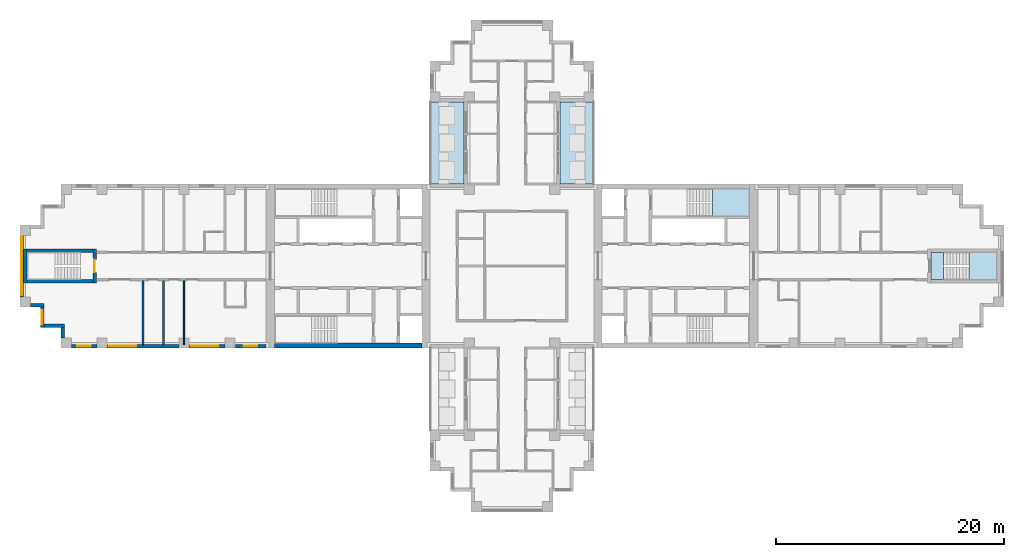
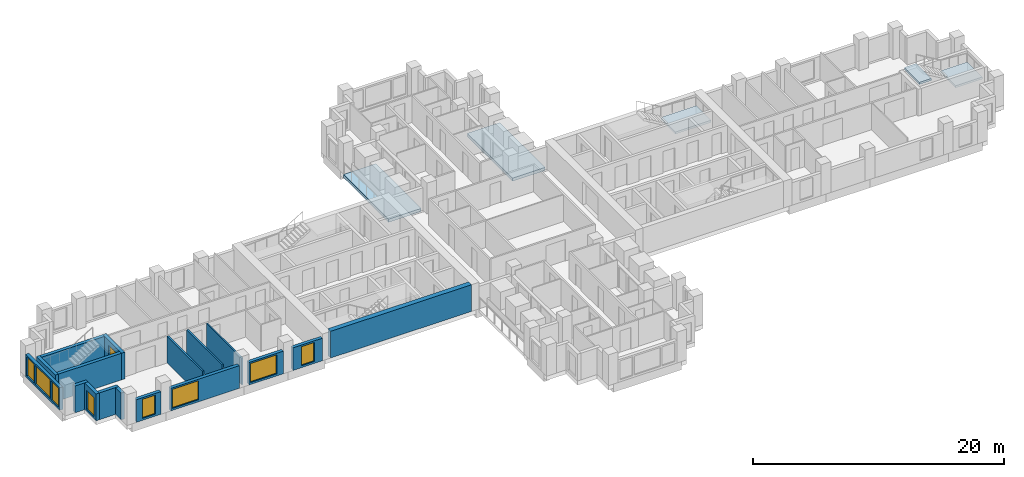
# One storey, part 2 of 12: 17 walls, 8 windows, 5 slabs, 1 door, 9 openings, 2 elements without a shape of their own.
"""IFC4 building model written with IfcOpenShell, lengths in metres."""

import ifcopenshell
import ifcopenshell.guid

model = None  # the IFC model being written
_history = None  # IfcOwnerHistory: only IFC2X3 demands one
_inside = {}  # id of a spatial element -> (the spatial element, [elements in it])
_under = {}  # id of a project, library or spatial element -> (it, [spatial elements below it])
_declared = {}  # id of a project -> (the project, [libraries it declares])
_typed = {}  # id of a type object -> (the type object, [elements of that type])
_made_of = {}  # id of a material, layer set ... -> (it, [elements and type objects made of it])


def new_model(schema):
    """Start an empty IFC model of exactly this schema.

    Asked for "IFC4X3", IfcOpenShell would pick the latest addendum, in which some entities
    have other attributes; the version numbers below select the first issue.
    IFC2X3 requires an IfcOwnerHistory on every rooted entity: one is made here for all.
    """
    global model, _history
    if schema == "IFC4X3":
        model = ifcopenshell.file(schema_version=(4, 3, 0, 0))
    else:
        model = ifcopenshell.file(schema=schema)
    _inside.clear()
    _under.clear()
    _declared.clear()
    _typed.clear()
    _made_of.clear()
    _history = None
    if model.schema == "IFC2X3":
        org = make("IfcOrganization", Name="unknown")
        user = make(
            "IfcPersonAndOrganization",
            ThePerson=make("IfcPerson", FamilyName="unknown"),
            TheOrganization=org,
        )
        app = make(
            "IfcApplication",
            ApplicationDeveloper=org,
            Version="unknown",
            ApplicationFullName="unknown",
            ApplicationIdentifier="unknown",
        )
        _history = make(
            "IfcOwnerHistory",
            OwningUser=user,
            OwningApplication=app,
            ChangeAction="ADDED",
            CreationDate=0,
        )
    return model


def make(cls, **values):
    """One entity of the class cls with the attributes given. An attribute that is None is left unset."""
    return model.create_entity(
        cls, **{name: value for name, value in values.items() if value is not None}
    )


def rooted(cls, **values):
    """An entity with a GlobalId (a new one), such as an element, a storey or a relation."""
    return make(cls, GlobalId=ifcopenshell.guid.new(), OwnerHistory=_history, **values)


def si_unit(unit_type, name, prefix=None):
    """IfcSIUnit, for example si_unit("LENGTHUNIT", "METRE", prefix="MILLI")."""
    return make("IfcSIUnit", UnitType=unit_type, Prefix=prefix, Name=name)


def assignment(units):
    """IfcUnitAssignment: the units of a project."""
    return None if units is None else make("IfcUnitAssignment", Units=units)


def point(xyz):
    """IfcCartesianPoint."""
    return None if xyz is None else make("IfcCartesianPoint", Coordinates=xyz)


def direction(xyz):
    """IfcDirection."""
    return None if xyz is None else make("IfcDirection", DirectionRatios=xyz)


def frame(location, z_axis=None, x_axis=None):
    """IfcAxis2Placement3D, a coordinate frame: its origin and axes. An axis left out is left unset."""
    return make(
        "IfcAxis2Placement3D",
        Location=point(location),
        Axis=direction(z_axis),
        RefDirection=direction(x_axis),
    )


def frame_2d(location, x_axis=None):
    """IfcAxis2Placement2D, a coordinate frame in the plane: its origin and x axis."""
    return make(
        "IfcAxis2Placement2D", Location=point(location), RefDirection=direction(x_axis)
    )


def origin():
    """The frame at (0, 0, 0) with its axes left unset."""
    return frame((0.0, 0.0, 0.0))


def place(relative_to, where):
    """IfcLocalPlacement: puts the frame where relative to a parent placement (None: the world)."""
    return make(
        "IfcLocalPlacement", PlacementRelTo=relative_to, RelativePlacement=where
    )


def context(
    kind, dimensions, precision=None, world=None, true_north=None, identifier=None
):
    """IfcGeometricRepresentationContext, for example the 3D "Model" context."""
    return make(
        "IfcGeometricRepresentationContext",
        ContextIdentifier=identifier,
        ContextType=kind,
        CoordinateSpaceDimension=dimensions,
        Precision=precision,
        WorldCoordinateSystem=world,
        TrueNorth=true_north,
    )


def subcontext(parent, identifier, kind, view, scale=None):
    """IfcGeometricRepresentationSubContext, for example "Body" below "Model"."""
    return make(
        "IfcGeometricRepresentationSubContext",
        ContextIdentifier=identifier,
        ContextType=kind,
        ParentContext=parent,
        TargetScale=scale,
        TargetView=view,
    )


def project(units=None, contexts=None):
    """IfcProject with its units and contexts."""
    return rooted(
        "IfcProject",
        Name="project",
        RepresentationContexts=contexts,
        UnitsInContext=assignment(units),
    )


def spatial(cls, under=None, at=None, **own):
    """A site, building, storey or space (cls), placed at a placement, below another one or the project."""
    s = rooted(cls, ObjectPlacement=at, **own)
    if under is not None:
        _under.setdefault(under.id(), (under, []))[1].append(s)
    return s


def polyline(points):
    """IfcPolyline through the points."""
    return make("IfcPolyline", Points=[point(p) for p in points])


def profile(cls, at=None, kind="AREA", **sizes):
    """A parametric profile (cls). Its sizes go by their IFC names, for example OverallWidth=200.0."""
    return make(cls, ProfileType=kind, Position=at, **sizes)


def rectangle(**sizes):
    """IfcRectangleProfileDef."""
    return profile("IfcRectangleProfileDef", **sizes)


def outline(outer, holes=None, kind="AREA"):
    """IfcArbitraryClosedProfileDef: a profile drawn as a closed curve; with holes, ...WithVoids."""
    if holes is None:
        return make("IfcArbitraryClosedProfileDef", ProfileType=kind, OuterCurve=outer)
    return make(
        "IfcArbitraryProfileDefWithVoids",
        ProfileType=kind,
        OuterCurve=outer,
        InnerCurves=holes,
    )


def extrude(swept, where, along, depth):
    """IfcExtrudedAreaSolid: the profile swept, set in the frame where, extruded along a direction by depth."""
    return make(
        "IfcExtrudedAreaSolid",
        SweptArea=swept,
        Position=where,
        ExtrudedDirection=direction(along),
        Depth=depth,
    )


def shape(context_of_items, identifier, shape_type, items):
    """IfcShapeRepresentation: the items that make up one representation, for example the "Body"."""
    return make(
        "IfcShapeRepresentation",
        ContextOfItems=context_of_items,
        RepresentationIdentifier=identifier,
        RepresentationType=shape_type,
        Items=items,
    )


def material(Name=None, Category=None):
    """IfcMaterial."""
    return make("IfcMaterial", Name=Name, Category=Category)


def layer(
    of_material, thickness, ventilated=None, Name=None, Category=None, Priority=None
):
    """IfcMaterialLayer: one layer of a wall or slab, of a material (None: an air gap)."""
    return make(
        "IfcMaterialLayer",
        Material=of_material,
        LayerThickness=thickness,
        IsVentilated=ventilated,
        Name=Name,
        Category=Category,
        Priority=Priority,
    )


def layer_set(layers, Name=None):
    """IfcMaterialLayerSet."""
    return make("IfcMaterialLayerSet", MaterialLayers=layers, LayerSetName=Name)


def made_of(thing, what):
    """Note that an element or type object is made of a material, layer set ...; save() writes the relation."""
    if what is not None:
        _made_of.setdefault(what.id(), (what, []))[1].append(thing)
    return thing


def type_object(cls, material=None, **own):
    """A type object (cls), such as IfcWallType, which elements share."""
    return made_of(rooted(cls, **own), material)


def element(
    cls,
    number,
    at=None,
    inside=None,
    cuts=None,
    type_object=None,
    material=None,
    context=None,
    identifier="Body",
    shape_type=None,
    held_by="IfcProductDefinitionShape",
    body=None,
    shapes=None,
    **own,
):
    """One element of the class cls, such as IfcWall. Its Tag is "e" and its number.

    at: its placement. inside: the storey or other place that contains it. cuts: it is an
    opening in that element (IfcRelVoidsElement). A single representation is given by context,
    identifier, shape_type and body (its items); several are given by shapes. held_by: the class
    of the entity that holds the representations. save() writes the other relations.
    """
    e = rooted(cls, Tag="e%d" % number, ObjectPlacement=at, **own)
    if body is not None:
        shapes = [shape(context, identifier, shape_type, body)]
    if shapes is not None:
        e.Representation = make(held_by, Representations=shapes)
    if inside is not None:
        _inside.setdefault(inside.id(), (inside, []))[1].append(e)
    if cuts is not None:
        rooted(
            "IfcRelVoidsElement", RelatingBuildingElement=cuts, RelatedOpeningElement=e
        )
    if type_object is not None:
        _typed.setdefault(type_object.id(), (type_object, []))[1].append(e)
    return made_of(e, material)


def fill(opening, filler):
    """IfcRelFillsElement: the door or window that sits in an opening."""
    return rooted(
        "IfcRelFillsElement",
        RelatingOpeningElement=opening,
        RelatedBuildingElement=filler,
    )


def aggregate(whole, parts):
    """IfcRelAggregates: a whole, such as a stair, and the parts it consists of."""
    return rooted("IfcRelAggregates", RelatingObject=whole, RelatedObjects=parts)


def save(model, path):
    """Write the relations noted so far, then the file.

    IfcRelAggregates (storeys below a building ...), IfcRelContainedInSpatialStructure (elements
    in a storey), IfcRelDefinesByType, IfcRelAssociatesMaterial and IfcRelDeclares: one each for
    every whole, place, type object, material and project.
    """
    for whole, parts in _under.values():
        aggregate(whole, parts)
    for where, things in _inside.values():
        rooted(
            "IfcRelContainedInSpatialStructure",
            RelatedElements=things,
            RelatingStructure=where,
        )
    for kind, things in _typed.values():
        rooted("IfcRelDefinesByType", RelatedObjects=things, RelatingType=kind)
    for what, things in _made_of.values():
        rooted("IfcRelAssociatesMaterial", RelatedObjects=things, RelatingMaterial=what)
    for by, libraries in _declared.values():
        rooted("IfcRelDeclares", RelatingContext=by, RelatedDefinitions=libraries)
    model.write(path)


model = new_model("IFC4")

# Units and contexts
model_context = context("Model", 3, precision=1e-05, world=origin(), true_north=direction((0.0, 1.0)))
body_context = subcontext(model_context, "Body", "Model", "MODEL_VIEW")
ifc_project = project(units=[si_unit("LENGTHUNIT", "METRE"), si_unit("AREAUNIT", "SQUARE_METRE"), si_unit("VOLUMEUNIT", "CUBIC_METRE"), si_unit("PLANEANGLEUNIT", "RADIAN"), si_unit("MASSUNIT", "GRAM", prefix="KILO")], contexts=[model_context])

# Site, building, storey
site_placement = place(None, origin())
site = spatial("IfcSite", under=ifc_project, at=site_placement, CompositionType="ELEMENT")
building_placement = place(site_placement, origin())
building = spatial("IfcBuilding", under=site, at=building_placement, Name="Fustian Cross Tower", CompositionType="ELEMENT")
storey_placement = place(building_placement, frame((0.0, 0.0, 150.300048828125)))
storey = spatial("IfcBuildingStorey", under=building, at=storey_placement, Name="L47", CompositionType="ELEMENT", Elevation=150.300048828125)

# Slabs
ifc_material_1 = material(Name="Concrete C40/50", Category="concrete")
ifc_layer_1 = layer(ifc_material_1, 0.300048828125)
ifc_layer_set_1 = layer_set([ifc_layer_1], Name="Concrete C40/50")
slab_type_1 = type_object("IfcSlabType", Name="BS1 BALCONY SLAB 300", PredefinedType="FLOOR", material=ifc_layer_set_1)
slab_1_placement = place(storey_placement, frame((0.0, 0.0, -0.300048828125)))
element("IfcSlab", 1, at=slab_1_placement, inside=storey, type_object=slab_type_1, Name="Balcony slab", PredefinedType="FLOOR", context=body_context, shape_type="SweptSolid", body=[
    extrude(outline(polyline([(4.199951171875, 7.199951171875), (7.199951171875, 7.199951171875), (7.199951171875, 14.39990234375), (4.199951171875, 14.39990234375), (4.199951171875, 7.199951171875)])), origin(), (0.0, 0.0, 1.0), 0.300048828125),
])
slab_2_placement = place(storey_placement, frame((0.0, 0.0, -0.300048828125)))
element("IfcSlab", 2, at=slab_2_placement, inside=storey, type_object=slab_type_1, Name="Balcony slab", PredefinedType="FLOOR", context=body_context, shape_type="SweptSolid", body=[
    extrude(outline(polyline([(-7.199951171875, 7.199951171875), (-4.199951171875, 7.199951171875), (-4.199951171875, 14.39990234375), (-7.199951171875, 14.39990234375), (-7.199951171875, 7.199951171875)])), origin(), (0.0, 0.0, 1.0), 0.300048828125),
])

# Stair, slab
ifc_material_2 = material(Name="Concrete C50/60", Category="concrete")
stair_type_1 = type_object("IfcStairType", Name="STAIR 1150 HALF TURN", PredefinedType="HALF_TURN_STAIR", material=ifc_material_2)
stair_1_placement = place(storey_placement, origin())
stair_1 = element("IfcStair", 3, at=stair_1_placement, inside=storey, type_object=stair_type_1, Name="Stair ST1", PredefinedType="HALF_TURN_STAIR")
ifc_material_3 = material(Name="Concrete C50/60", Category="concrete")
ifc_layer_2 = layer(ifc_material_3, 0.199951171875)
ifc_layer_set_2 = layer_set([ifc_layer_2], Name="Concrete C50/60")
slab_type_2 = type_object("IfcSlabType", Name="STAIR LANDING", PredefinedType="LANDING", material=ifc_layer_set_2)
slab_3_placement = place(storey_placement, frame((0.0, 0.0, 1.300048828125)))
slab_3 = element("IfcSlab", 4, at=slab_3_placement, type_object=slab_type_2, Name="ST1 landing 1", PredefinedType="LANDING", context=body_context, shape_type="SweptSolid", body=[
    extrude(outline(polyline([(17.590087890625, 4.39990234375), (20.85009765625, 4.39990234375), (20.85009765625, 6.75), (17.590087890625, 6.75), (17.590087890625, 4.39990234375)])), origin(), (0.0, 0.0, 1.0), 0.199951171875),
])
aggregate(stair_1, [slab_3])

# Stair, slabs
ifc_material_4 = material(Name="Concrete C50/60", Category="concrete")
stair_type_2 = type_object("IfcStairType", Name="STAIR 1100 HALF TURN", PredefinedType="HALF_TURN_STAIR", material=ifc_material_4)
stair_2_placement = place(storey_placement, origin())
stair_2 = element("IfcStair", 5, at=stair_2_placement, inside=storey, type_object=stair_type_2, Name="Stair ST8", PredefinedType="HALF_TURN_STAIR")
slab_4_placement = place(storey_placement, frame((0.0, 0.0, 1.300048828125)))
slab_4 = element("IfcSlab", 6, at=slab_4_placement, type_object=slab_type_2, Name="ST8 landing 1", PredefinedType="LANDING", context=body_context, shape_type="SweptSolid", body=[
    extrude(outline(polyline([(40.139892578125, -1.199951171875), (42.60009765625, -1.199951171875), (42.60009765625, 1.199951171875), (40.139892578125, 1.199951171875), (40.139892578125, -1.199951171875)])), origin(), (0.0, 0.0, 1.0), 0.199951171875),
])
slab_5_placement = place(storey_placement, frame((0.0, 0.0, 2.800048828125)))
slab_5 = element("IfcSlab", 7, at=slab_5_placement, type_object=slab_type_2, Name="ST8 landing 2", PredefinedType="LANDING", context=body_context, shape_type="SweptSolid", body=[
    extrude(outline(polyline([(36.800048828125, -1.199951171875), (37.89990234375, -1.199951171875), (37.89990234375, 1.199951171875), (36.800048828125, 1.199951171875), (36.800048828125, -1.199951171875)])), origin(), (0.0, 0.0, 1.0), 0.199951171875),
])
aggregate(stair_2, [slab_4, slab_5])

# Walls
ifc_material_5 = material(Name="Plasterboard on steel stud", Category="steel")
ifc_layer_3 = layer(ifc_material_5, 0.14990234375)
ifc_layer_set_3 = layer_set([ifc_layer_3], Name="Plasterboard on steel stud")
wall_type_1 = type_object("IfcWallType", Name="COMPARTMENT WALL 150 EI 60", PredefinedType="PARTITIONING", material=ifc_layer_set_3)
for number, where, z_axis, x_axis, name in (
    (8, (-32.39990234375, -6.89990234375, 0.0), (0.0, 0.0, 1.0), (0.0, 1.0, 0.0), "Partition 3"),
    (9, (-30.60009765625, -6.89990234375, 0.0), (0.0, 0.0, 1.0), (0.0, 1.0, 0.0), "Partition 5"),
):
    element("IfcWall", number, at=place(storey_placement, frame(where, z_axis=z_axis, x_axis=x_axis)), inside=storey, type_object=wall_type_1, Name=name, PredefinedType="PARTITIONING", context=body_context, shape_type="SweptSolid", body=[
        extrude(rectangle(XDim=5.625, YDim=0.14990234375, at=frame_2d((2.8125, 0.0))), origin(), (0.0, 0.0, 1.0), 2.599853515625),
    ])
ifc_material_6 = material(Name="Concrete C60/75", Category="concrete")
ifc_layer_4 = layer(ifc_material_6, 0.449951171875)
ifc_layer_set_4 = layer_set([ifc_layer_4], Name="Concrete C60/75")
wall_type_2 = type_object("IfcWallType", Name="CORE FACADE WALL 450 C60/75", PredefinedType="SHEAR", material=ifc_layer_set_4)
wall_1_placement = place(storey_placement, frame((-7.89990234375, -6.97509765625, 0.0), z_axis=(0.0, 0.0, 1.0), x_axis=(-1.0, 0.0, 0.0)))
element("IfcWall", 10, at=wall_1_placement, inside=storey, type_object=wall_type_2, Name="Core facade wall", PredefinedType="SHEAR", context=body_context, shape_type="SweptSolid", body=[
    extrude(rectangle(XDim=12.9501953125, YDim=0.449951171875, at=frame_2d((6.47509765625, 0.0))), origin(), (0.0, 0.0, 1.0), 2.599853515625),
])

# Wall, opening, door
ifc_material_7 = material(Name="Concrete C50/60", Category="concrete")
ifc_layer_5 = layer(ifc_material_7, 0.300048828125)
ifc_layer_set_5 = layer_set([ifc_layer_5], Name="Concrete C50/60")
wall_type_3 = type_object("IfcWallType", Name="STAIR ENCLOSURE WALL 300 C50/60", PredefinedType="SHEAR", material=ifc_layer_set_5)
wall_2_placement = place(storey_placement, frame((-36.64990234375, -1.5, 0.0), z_axis=(0.0, 0.0, 1.0), x_axis=(0.0, 1.0, 0.0)))
wall_2 = element("IfcWall", 11, at=wall_2_placement, inside=storey, type_object=wall_type_3, Name="Stair enclosure wall", PredefinedType="SHEAR", context=body_context, shape_type="SweptSolid", body=[
    extrude(rectangle(XDim=3.0, YDim=0.300048828125, at=frame_2d((1.5, 0.0))), origin(), (0.0, 0.0, 1.0), 2.599853515625),
])
opening_1_placement = place(wall_2_placement, frame((0.949951171875, 0.0, 0.0)))
opening_1 = element("IfcOpeningElement", 12, at=opening_1_placement, cuts=wall_2, Name="Opening CD-16-36", PredefinedType="OPENING", context=body_context, shape_type="SweptSolid", body=[
    extrude(rectangle(XDim=1.10009765625, YDim=2.10009765625, at=frame_2d((0.550048828125, 1.050048828125))), frame((0.0, 0.159912109375, 0.0), z_axis=(0.0, -1.0, 0.0), x_axis=(1.0, 0.0, 0.0)), (0.0, 0.0, 1.0), 0.320068359375),
])
ifc_material_8 = material(Name="Steel", Category="steel")
door_type = type_object("IfcDoorType", Name="FIRE DOOR FD60S 1100X2100", OperationType="SINGLE_SWING_LEFT", PredefinedType="DOOR", material=ifc_material_8)
door_placement = place(opening_1_placement, origin())
door = element("IfcDoor", 13, at=door_placement, inside=storey, type_object=door_type, Name="Core door CD-16-36", OperationType="SINGLE_SWING_LEFT", OverallHeight=2.10009765625, OverallWidth=1.10009765625, PredefinedType="DOOR", context=body_context, shape_type="SweptSolid", body=[
    extrude(rectangle(XDim=1.10009765625, YDim=2.10009765625, at=frame_2d((0.550048828125, 1.050048828125))), frame((0.0, 0.02490234375, 0.0), z_axis=(0.0, -1.0, 0.0), x_axis=(1.0, 0.0, 0.0)), (0.0, 0.0, 1.0), 0.050048828125),
])
fill(opening_1, door)

# Walls
wall_3_placement = place(storey_placement, frame((-42.75, -1.5, 0.0), z_axis=(0.0, 0.0, 1.0), x_axis=(0.0, 1.0, 0.0)))
element("IfcWall", 14, at=wall_3_placement, inside=storey, type_object=wall_type_3, Name="Stair enclosure wall", PredefinedType="SHEAR", context=body_context, shape_type="SweptSolid", body=[
    extrude(rectangle(XDim=3.0, YDim=0.300048828125, at=frame_2d((1.5, 0.0))), origin(), (0.0, 0.0, 1.0), 2.599853515625),
])
for number, where, z_axis, x_axis, name in (
    (15, (-36.800048828125, -1.35009765625, 0.0), (0.0, 0.0, 1.0), (-1.0, 0.0, 0.0), "Stair enclosure wall"),
    (16, (-36.800048828125, 1.35009765625, 0.0), (0.0, 0.0, 1.0), (-1.0, 0.0, 0.0), "Stair enclosure wall"),
):
    element("IfcWall", number, at=place(storey_placement, frame(where, z_axis=z_axis, x_axis=x_axis)), inside=storey, type_object=wall_type_3, Name=name, PredefinedType="SHEAR", context=body_context, shape_type="SweptSolid", body=[
        extrude(rectangle(XDim=5.800048828125, YDim=0.300048828125, at=frame_2d((2.89990234375, 0.0))), origin(), (0.0, 0.0, 1.0), 2.599853515625),
    ])
ifc_material_9 = material(Name="Plasterboard on steel stud", Category="steel")
ifc_layer_6 = layer(ifc_material_9, 0.125)
ifc_layer_set_6 = layer_set([ifc_layer_6], Name="Plasterboard on steel stud")
wall_type_4 = type_object("IfcWallType", Name="WET WALL 125 STUD", PredefinedType="PARTITIONING", material=ifc_layer_set_6)
wall_4_placement = place(storey_placement, frame((-28.800048828125, -6.89990234375, 0.0), z_axis=(0.0, 0.0, 1.0), x_axis=(0.0, 1.0, 0.0)))
element("IfcWall", 17, at=wall_4_placement, inside=storey, type_object=wall_type_4, Name="Partition 7", PredefinedType="PARTITIONING", context=body_context, shape_type="SweptSolid", body=[
    extrude(rectangle(XDim=5.625, YDim=0.125, at=frame_2d((2.8125, 0.0))), origin(), (0.0, 0.0, 1.0), 2.599853515625),
])

# Wall, openings, windows
ifc_material_10 = material(Name="Dark aluminium cladding on insulated backing wall", Category="aluminium")
ifc_layer_7 = layer(ifc_material_10, 0.300048828125)
ifc_layer_set_7 = layer_set([ifc_layer_7], Name="Dark aluminium cladding on insulated backing wall")
wall_type_5 = type_object("IfcWallType", Name="XW1 EXTERNAL WALL 300", PredefinedType="SOLIDWALL", material=ifc_layer_set_7)
wall_5_placement = place(storey_placement, frame((-43.050048828125, 2.699951171875, 0.0), z_axis=(0.0, 0.0, 1.0), x_axis=(0.0, -1.0, 0.0)))
wall_5 = element("IfcWall", 18, at=wall_5_placement, inside=storey, type_object=wall_type_5, Name="External wall", PredefinedType="SOLIDWALL", context=body_context, shape_type="SweptSolid", body=[
    extrude(rectangle(XDim=5.39990234375, YDim=0.300048828125, at=frame_2d((2.699951171875, 0.0))), origin(), (0.0, 0.0, 1.0), 2.199951171875),
])
opening_2_placement = place(wall_5_placement, frame((1.5, 0.0, 0.199951171875)))
opening_2 = element("IfcOpeningElement", 19, at=opening_2_placement, cuts=wall_5, Name="Opening WN1", PredefinedType="OPENING", context=body_context, shape_type="SweptSolid", body=[
    extrude(rectangle(XDim=2.39990234375, YDim=1.85009765625, at=frame_2d((1.199951171875, 0.925048828125))), frame((0.0, 0.159912109375, 0.0), z_axis=(0.0, -1.0, 0.0), x_axis=(1.0, 0.0, 0.0)), (0.0, 0.0, 1.0), 0.320068359375),
])
opening_3_placement = place(wall_5_placement, frame((0.14990234375, 0.0, 0.199951171875)))
opening_3 = element("IfcOpeningElement", 20, at=opening_3_placement, cuts=wall_5, Name="Opening WN3", PredefinedType="OPENING", context=body_context, shape_type="SweptSolid", body=[
    extrude(rectangle(XDim=1.199951171875, YDim=1.85009765625, at=frame_2d((0.60009765625, 0.925048828125))), frame((0.0, 0.159912109375, 0.0), z_axis=(0.0, -1.0, 0.0), x_axis=(1.0, 0.0, 0.0)), (0.0, 0.0, 1.0), 0.320068359375),
])
opening_4_placement = place(wall_5_placement, frame((4.050048828125, 0.0, 0.199951171875)))
opening_4 = element("IfcOpeningElement", 21, at=opening_4_placement, cuts=wall_5, Name="Opening WN3", PredefinedType="OPENING", context=body_context, shape_type="SweptSolid", body=[
    extrude(rectangle(XDim=1.199951171875, YDim=1.85009765625, at=frame_2d((0.60009765625, 0.925048828125))), frame((0.0, 0.159912109375, 0.0), z_axis=(0.0, -1.0, 0.0), x_axis=(1.0, 0.0, 0.0)), (0.0, 0.0, 1.0), 0.320068359375),
])
ifc_material_11 = material(Name="Dark anodised aluminium and double glazing", Category="aluminium")
window_type_1 = type_object("IfcWindowType", Name="WN1 WINDOW 2400X1850", PartitioningType="SINGLE_PANEL", PredefinedType="WINDOW", material=ifc_material_11)
window_1_placement = place(opening_2_placement, origin())
window_1 = element("IfcWindow", 22, at=window_1_placement, inside=storey, type_object=window_type_1, Name="Window", OverallHeight=1.85009765625, OverallWidth=2.39990234375, PartitioningType="SINGLE_PANEL", PredefinedType="WINDOW", context=body_context, shape_type="SweptSolid", body=[
    extrude(rectangle(XDim=2.39990234375, YDim=1.85009765625, at=frame_2d((1.199951171875, 0.925048828125))), frame((0.0, 0.030029296875, 0.0), z_axis=(0.0, -1.0, 0.0), x_axis=(1.0, 0.0, 0.0)), (0.0, 0.0, 1.0), 0.06005859375),
])
fill(opening_2, window_1)
ifc_material_12 = material(Name="Dark anodised aluminium and double glazing", Category="aluminium")
window_type_2 = type_object("IfcWindowType", Name="WN3 WINDOW 1200X1850", PartitioningType="SINGLE_PANEL", PredefinedType="WINDOW", material=ifc_material_12)
window_2_placement = place(opening_3_placement, origin())
window_2 = element("IfcWindow", 23, at=window_2_placement, inside=storey, type_object=window_type_2, Name="Window", OverallHeight=1.85009765625, OverallWidth=1.199951171875, PartitioningType="SINGLE_PANEL", PredefinedType="WINDOW", context=body_context, shape_type="SweptSolid", body=[
    extrude(rectangle(XDim=1.199951171875, YDim=1.85009765625, at=frame_2d((0.60009765625, 0.925048828125))), frame((0.0, 0.030029296875, 0.0), z_axis=(0.0, -1.0, 0.0), x_axis=(1.0, 0.0, 0.0)), (0.0, 0.0, 1.0), 0.06005859375),
])
fill(opening_3, window_2)
window_3_placement = place(opening_4_placement, origin())
window_3 = element("IfcWindow", 24, at=window_3_placement, inside=storey, type_object=window_type_2, Name="Window", OverallHeight=1.85009765625, OverallWidth=1.199951171875, PartitioningType="SINGLE_PANEL", PredefinedType="WINDOW", context=body_context, shape_type="SweptSolid", body=[
    extrude(rectangle(XDim=1.199951171875, YDim=1.85009765625, at=frame_2d((0.60009765625, 0.925048828125))), frame((0.0, 0.030029296875, 0.0), z_axis=(0.0, -1.0, 0.0), x_axis=(1.0, 0.0, 0.0)), (0.0, 0.0, 1.0), 0.06005859375),
])
fill(opening_4, window_3)

# Wall
wall_6_placement = place(storey_placement, frame((-42.300048828125, -3.449951171875, 0.0), z_axis=(0.0, 0.0, 1.0), x_axis=(1.0, 0.0, 0.0)))
element("IfcWall", 25, at=wall_6_placement, inside=storey, type_object=wall_type_5, Name="External wall", PredefinedType="SOLIDWALL", context=body_context, shape_type="SweptSolid", body=[
    extrude(rectangle(XDim=1.199951171875, YDim=0.300048828125, at=frame_2d((0.60009765625, 0.0))), origin(), (0.0, 0.0, 1.0), 2.599853515625),
])

# Wall, opening, window
wall_7_placement = place(storey_placement, frame((-41.25, -3.60009765625, 0.0), z_axis=(0.0, 0.0, 1.0), x_axis=(0.0, -1.0, 0.0)))
wall_7 = element("IfcWall", 26, at=wall_7_placement, inside=storey, type_object=wall_type_5, Name="External wall", PredefinedType="SOLIDWALL", context=body_context, shape_type="SweptSolid", body=[
    extrude(rectangle(XDim=1.7998046875, YDim=0.300048828125, at=frame_2d((0.89990234375, 0.0))), origin(), (0.0, 0.0, 1.0), 2.599853515625),
])
opening_5_placement = place(wall_7_placement, frame((0.300048828125, 0.0, 0.199951171875)))
opening_5 = element("IfcOpeningElement", 27, at=opening_5_placement, cuts=wall_7, Name="Opening WN3", PredefinedType="OPENING", context=body_context, shape_type="SweptSolid", body=[
    extrude(rectangle(XDim=1.199951171875, YDim=1.85009765625, at=frame_2d((0.60009765625, 0.925048828125))), frame((0.0, 0.159912109375, 0.0), z_axis=(0.0, -1.0, 0.0), x_axis=(1.0, 0.0, 0.0)), (0.0, 0.0, 1.0), 0.320068359375),
])
window_4_placement = place(opening_5_placement, origin())
window_4 = element("IfcWindow", 28, at=window_4_placement, inside=storey, type_object=window_type_2, Name="Window", OverallHeight=1.85009765625, OverallWidth=1.199951171875, PartitioningType="SINGLE_PANEL", PredefinedType="WINDOW", context=body_context, shape_type="SweptSolid", body=[
    extrude(rectangle(XDim=1.199951171875, YDim=1.85009765625, at=frame_2d((0.60009765625, 0.925048828125))), frame((0.0, 0.030029296875, 0.0), z_axis=(0.0, -1.0, 0.0), x_axis=(1.0, 0.0, 0.0)), (0.0, 0.0, 1.0), 0.06005859375),
])
fill(opening_5, window_4)

# Walls
wall_8_placement = place(storey_placement, frame((-41.10009765625, -5.25, 0.0), z_axis=(0.0, 0.0, 1.0), x_axis=(1.0, 0.0, 0.0)))
element("IfcWall", 29, at=wall_8_placement, inside=storey, type_object=wall_type_5, Name="External wall", PredefinedType="SOLIDWALL", context=body_context, shape_type="SweptSolid", body=[
    extrude(rectangle(XDim=1.800048828125, YDim=0.300048828125, at=frame_2d((0.89990234375, 0.0))), origin(), (0.0, 0.0, 1.0), 2.599853515625),
])
wall_9_placement = place(storey_placement, frame((-39.449951171875, -5.39990234375, 0.0), z_axis=(0.0, 0.0, 1.0), x_axis=(0.0, -1.0, 0.0)))
element("IfcWall", 30, at=wall_9_placement, inside=storey, type_object=wall_type_5, Name="External wall", PredefinedType="SOLIDWALL", context=body_context, shape_type="SweptSolid", body=[
    extrude(rectangle(XDim=0.900146484375, YDim=0.300048828125, at=frame_2d((0.4501953125, 0.0))), origin(), (0.0, 0.0, 1.0), 2.599853515625),
])

# Wall, opening, window
wall_10_placement = place(storey_placement, frame((-38.699951171875, -7.050048828125, 0.0), z_axis=(0.0, 0.0, 1.0), x_axis=(1.0, 0.0, 0.0)))
wall_10 = element("IfcWall", 31, at=wall_10_placement, inside=storey, type_object=wall_type_5, Name="External wall", PredefinedType="SOLIDWALL", context=body_context, shape_type="SweptSolid", body=[
    extrude(rectangle(XDim=2.25, YDim=0.300048828125, at=frame_2d((1.125, 0.0))), origin(), (0.0, 0.0, 1.0), 2.199951171875),
])
opening_6_placement = place(wall_10_placement, frame((0.52490234375, 0.0, 0.199951171875)))
opening_6 = element("IfcOpeningElement", 32, at=opening_6_placement, cuts=wall_10, Name="Opening WN3", PredefinedType="OPENING", context=body_context, shape_type="SweptSolid", body=[
    extrude(rectangle(XDim=1.199951171875, YDim=1.85009765625, at=frame_2d((0.60009765625, 0.925048828125))), frame((0.0, 0.159912109375, 0.0), z_axis=(0.0, -1.0, 0.0), x_axis=(1.0, 0.0, 0.0)), (0.0, 0.0, 1.0), 0.320068359375),
])
window_5_placement = place(opening_6_placement, origin())
window_5 = element("IfcWindow", 33, at=window_5_placement, inside=storey, type_object=window_type_2, Name="Window", OverallHeight=1.85009765625, OverallWidth=1.199951171875, PartitioningType="SINGLE_PANEL", PredefinedType="WINDOW", context=body_context, shape_type="SweptSolid", body=[
    extrude(rectangle(XDim=1.199951171875, YDim=1.85009765625, at=frame_2d((0.60009765625, 0.925048828125))), frame((0.0, 0.030029296875, 0.0), z_axis=(0.0, -1.0, 0.0), x_axis=(1.0, 0.0, 0.0)), (0.0, 0.0, 1.0), 0.06005859375),
])
fill(opening_6, window_5)

wall_11_placement = place(storey_placement, frame((-35.550048828125, -7.050048828125, 0.0), z_axis=(0.0, 0.0, 1.0), x_axis=(1.0, 0.0, 0.0)))
wall_11 = element("IfcWall", 34, at=wall_11_placement, inside=storey, type_object=wall_type_5, Name="External wall", PredefinedType="SOLIDWALL", context=body_context, shape_type="SweptSolid", body=[
    extrude(rectangle(XDim=6.300048828125, YDim=0.300048828125, at=frame_2d((3.14990234375, 0.0))), origin(), (0.0, 0.0, 1.0), 2.199951171875),
])
opening_7_placement = place(wall_11_placement, frame((0.14990234375, 0.0, 0.199951171875)))
opening_7 = element("IfcOpeningElement", 35, at=opening_7_placement, cuts=wall_11, Name="Opening WN1", PredefinedType="OPENING", context=body_context, shape_type="SweptSolid", body=[
    extrude(rectangle(XDim=2.39990234375, YDim=1.85009765625, at=frame_2d((1.199951171875, 0.925048828125))), frame((0.0, 0.159912109375, 0.0), z_axis=(0.0, -1.0, 0.0), x_axis=(1.0, 0.0, 0.0)), (0.0, 0.0, 1.0), 0.320068359375),
])
window_6_placement = place(opening_7_placement, origin())
window_6 = element("IfcWindow", 36, at=window_6_placement, inside=storey, type_object=window_type_1, Name="Window", OverallHeight=1.85009765625, OverallWidth=2.39990234375, PartitioningType="SINGLE_PANEL", PredefinedType="WINDOW", context=body_context, shape_type="SweptSolid", body=[
    extrude(rectangle(XDim=2.39990234375, YDim=1.85009765625, at=frame_2d((1.199951171875, 0.925048828125))), frame((0.0, 0.030029296875, 0.0), z_axis=(0.0, -1.0, 0.0), x_axis=(1.0, 0.0, 0.0)), (0.0, 0.0, 1.0), 0.06005859375),
])
fill(opening_7, window_6)

wall_12_placement = place(storey_placement, frame((-28.35009765625, -7.050048828125, 0.0), z_axis=(0.0, 0.0, 1.0), x_axis=(1.0, 0.0, 0.0)))
wall_12 = element("IfcWall", 37, at=wall_12_placement, inside=storey, type_object=wall_type_5, Name="External wall", PredefinedType="SOLIDWALL", context=body_context, shape_type="SweptSolid", body=[
    extrude(rectangle(XDim=3.150146484375, YDim=0.300048828125, at=frame_2d((1.5751953125, 0.0))), origin(), (0.0, 0.0, 1.0), 2.199951171875),
])
opening_8_placement = place(wall_12_placement, frame((0.14990234375, 0.0, 0.199951171875)))
opening_8 = element("IfcOpeningElement", 38, at=opening_8_placement, cuts=wall_12, Name="Opening WN1", PredefinedType="OPENING", context=body_context, shape_type="SweptSolid", body=[
    extrude(rectangle(XDim=2.39990234375, YDim=1.85009765625, at=frame_2d((1.199951171875, 0.925048828125))), frame((0.0, 0.159912109375, 0.0), z_axis=(0.0, -1.0, 0.0), x_axis=(1.0, 0.0, 0.0)), (0.0, 0.0, 1.0), 0.320068359375),
])
window_7_placement = place(opening_8_placement, origin())
window_7 = element("IfcWindow", 39, at=window_7_placement, inside=storey, type_object=window_type_1, Name="Window", OverallHeight=1.85009765625, OverallWidth=2.39990234375, PartitioningType="SINGLE_PANEL", PredefinedType="WINDOW", context=body_context, shape_type="SweptSolid", body=[
    extrude(rectangle(XDim=2.39990234375, YDim=1.85009765625, at=frame_2d((1.199951171875, 0.925048828125))), frame((0.0, 0.030029296875, 0.0), z_axis=(0.0, -1.0, 0.0), x_axis=(1.0, 0.0, 0.0)), (0.0, 0.0, 1.0), 0.06005859375),
])
fill(opening_8, window_7)

wall_13_placement = place(storey_placement, frame((-24.300048828125, -7.050048828125, 0.0), z_axis=(0.0, 0.0, 1.0), x_axis=(1.0, 0.0, 0.0)))
wall_13 = element("IfcWall", 40, at=wall_13_placement, inside=storey, type_object=wall_type_5, Name="External wall", PredefinedType="SOLIDWALL", context=body_context, shape_type="SweptSolid", body=[
    extrude(rectangle(XDim=2.699951171875, YDim=0.300048828125, at=frame_2d((1.35009765625, 0.0))), origin(), (0.0, 0.0, 1.0), 2.199951171875),
])
opening_9_placement = place(wall_13_placement, frame((0.75, 0.0, 0.199951171875)))
opening_9 = element("IfcOpeningElement", 41, at=opening_9_placement, cuts=wall_13, Name="Opening WN3", PredefinedType="OPENING", context=body_context, shape_type="SweptSolid", body=[
    extrude(rectangle(XDim=1.199951171875, YDim=1.85009765625, at=frame_2d((0.60009765625, 0.925048828125))), frame((0.0, 0.159912109375, 0.0), z_axis=(0.0, -1.0, 0.0), x_axis=(1.0, 0.0, 0.0)), (0.0, 0.0, 1.0), 0.320068359375),
])
window_8_placement = place(opening_9_placement, origin())
window_8 = element("IfcWindow", 42, at=window_8_placement, inside=storey, type_object=window_type_2, Name="Window", OverallHeight=1.85009765625, OverallWidth=1.199951171875, PartitioningType="SINGLE_PANEL", PredefinedType="WINDOW", context=body_context, shape_type="SweptSolid", body=[
    extrude(rectangle(XDim=1.199951171875, YDim=1.85009765625, at=frame_2d((0.60009765625, 0.925048828125))), frame((0.0, 0.030029296875, 0.0), z_axis=(0.0, -1.0, 0.0), x_axis=(1.0, 0.0, 0.0)), (0.0, 0.0, 1.0), 0.06005859375),
])
fill(opening_9, window_8)

save(model, "model.ifc")
